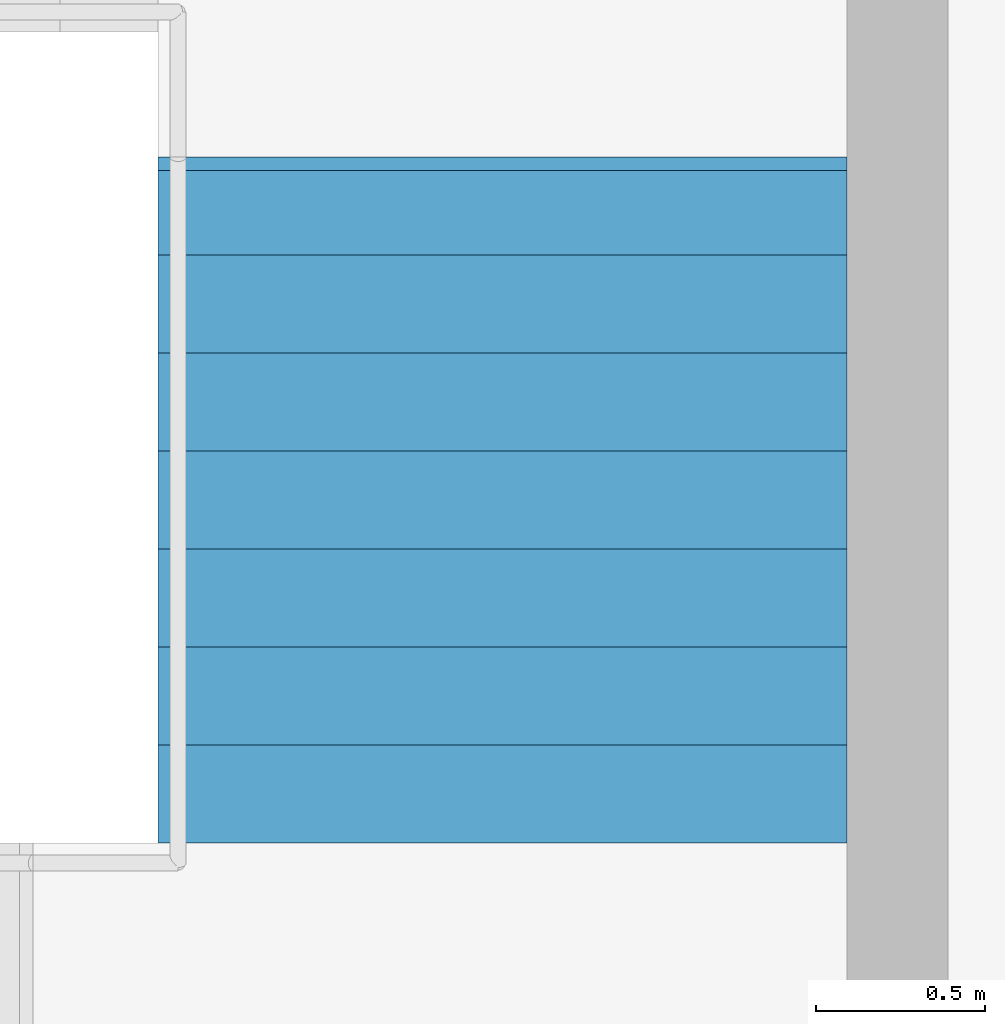
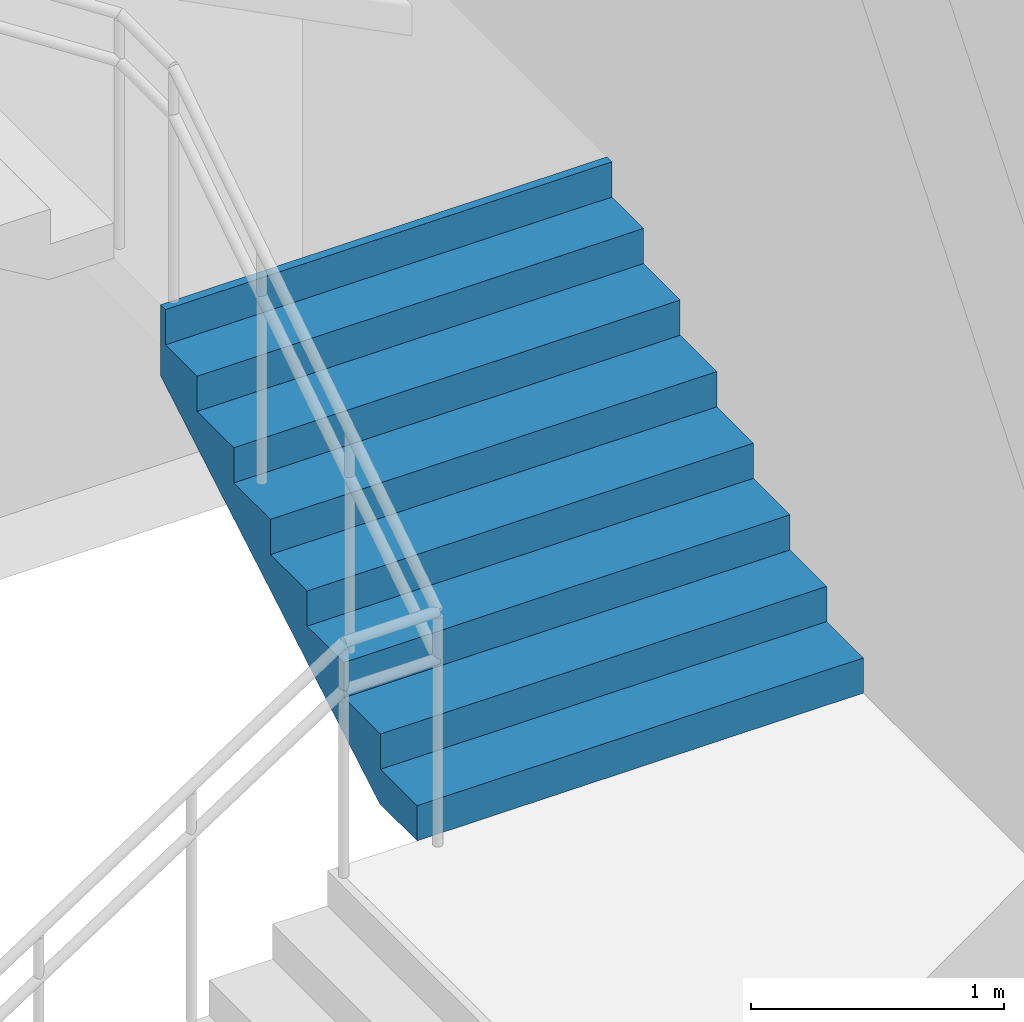
# One storey, part 36 of 50: 1 stair flight, 1 element without a shape of its own.
"""IFC4 building model written with IfcOpenShell, lengths in metres."""

from ifc_helpers import new_model, si_unit, direction, frame, origin, place, context, subcontext, project, spatial, triangles, material, type_object, element, aggregate, save


model = new_model("IFC4")

# Units and contexts
model_context = context("Model", 3, precision=1e-05, world=origin(), true_north=direction((0.0, 1.0)))
body_context = subcontext(model_context, "Body", "Model", "MODEL_VIEW")
ifc_project = project(units=[si_unit("LENGTHUNIT", "METRE"), si_unit("AREAUNIT", "SQUARE_METRE"), si_unit("VOLUMEUNIT", "CUBIC_METRE"), si_unit("PLANEANGLEUNIT", "RADIAN"), si_unit("MASSUNIT", "GRAM", prefix="KILO")], contexts=[model_context])

# Site, building, storey
site_placement = place(None, origin())
site = spatial("IfcSite", under=ifc_project, at=site_placement, CompositionType="ELEMENT")
building_placement = place(site_placement, origin())
building = spatial("IfcBuilding", under=site, at=building_placement, Name="Sillaruma Civic Art Gallery", CompositionType="ELEMENT")
storey_placement = place(building_placement, origin())
storey = spatial("IfcBuildingStorey", under=building, at=storey_placement, Name="L00", CompositionType="ELEMENT", Elevation=0.0)

# Stair, stair flight
ifc_material = material(Name="Concrete H35 (35 MPa)", Category="concrete")
stair_type = type_object("IfcStairType", Name="STR-4F-32", PredefinedType="USERDEFINED", material=ifc_material)
stair_placement = place(storey_placement, origin())
stair = element("IfcStair", 1, at=stair_placement, inside=storey, type_object=stair_type, Name="Protected Exit Stair ST-01 (West Wing) (L00)", ObjectType="THREE_RETURN_STAIR", PredefinedType="USERDEFINED")
stair_flight_type = type_object("IfcStairFlightType", Name="SFL-STR-8", PredefinedType="STRAIGHT", material=ifc_material)
stair_flight_placement = place(storey_placement, frame((31.02001953125, 102.739990234375, 1.360107421875), z_axis=(0.0, 0.0, 1.0), x_axis=(0.0, 1.0, 0.0)))
stair_flight = element("IfcStairFlight", 2, at=stair_flight_placement, type_object=stair_flight_type, Name="ST-01 flight 2", NumberOfRisers=8, NumberOfTreads=7, PredefinedType="STRAIGHT", RiserHeight=0.17, TreadLength=0.29, context=body_context, shape_type="Tessellation", body=[
    triangles([(0.0, -1.02001953125, 0.0), (0.29, -1.02001953125, 0.0), (0.296443, -1.02001953125, 0.0), (0.58, -1.02001953125, 0.166223), (0.87, -1.02001953125, 0.336223), (1.16, -1.02001953125, 0.506223), (1.45, -1.02001953125, 0.676223), (1.74, -1.02001953125, 0.846223), (1.990029, -1.02001953125, 0.992792), (2.030029, -1.02001953125, 1.01624), (2.030029, -1.02001953125, 1.36), (1.990029, -1.02001953125, 1.36), (1.990029, -1.02001953125, 1.19), (1.74, -1.02001953125, 1.19), (1.74, -1.02001953125, 1.02), (1.45, -1.02001953125, 1.02), (1.45, -1.02001953125, 0.85), (1.16, -1.02001953125, 0.85), (1.16, -1.02001953125, 0.68), (0.87, -1.02001953125, 0.68), (0.87, -1.02001953125, 0.51), (0.58, -1.02001953125, 0.51), (0.58, -1.02001953125, 0.34), (0.296443, -1.02001953125, 0.34), (0.29, -1.02001953125, 0.34), (0.29, -1.02001953125, 0.17), (0.0, -1.02001953125, 0.17), (0.0, -0.05, 0.0), (0.29, -0.05, 0.0), (0.296443, -0.05, 0.0), (0.58, -0.05, 0.166223), (0.87, -0.05, 0.336223), (1.16, -0.05, 0.506223), (1.45, -0.05, 0.676223), (1.74, -0.05, 0.846223), (1.990029, -0.05, 0.992792), (2.030029, -0.05, 1.01624), (2.030029, -0.05, 1.36), (1.990029, -0.05, 1.36), (1.990029, -0.05, 1.19), (1.74, -0.05, 1.19), (1.74, -0.05, 1.02), (1.45, -0.05, 1.02), (1.45, -0.05, 0.85), (1.16, -0.05, 0.85), (1.16, -0.05, 0.68), (0.87, -0.05, 0.68), (0.87, -0.05, 0.51), (0.58, -0.05, 0.51), (0.58, -0.05, 0.34), (0.296443, -0.05, 0.34), (0.29, -0.05, 0.34), (0.29, -0.05, 0.17), (0.0, -0.05, 0.17), (0.0, -0.0375, 0.0), (0.29, -0.0375, 0.0), (0.296443, -0.0375, 0.0), (0.58, -0.0375, 0.166223), (0.87, -0.0375, 0.336223), (1.16, -0.0375, 0.506223), (1.45, -0.0375, 0.676223), (1.74, -0.0375, 0.846223), (1.990029, -0.0375, 0.992792), (2.030029, -0.0375, 1.01624), (2.030029, -0.0375, 1.36), (1.990029, -0.0375, 1.36), (1.990029, -0.0375, 1.19), (1.74, -0.0375, 1.19), (1.74, -0.0375, 1.02), (1.45, -0.0375, 1.02), (1.45, -0.0375, 0.85), (1.16, -0.0375, 0.85), (1.16, -0.0375, 0.68), (0.87, -0.0375, 0.68), (0.87, -0.0375, 0.51), (0.58, -0.0375, 0.51), (0.58, -0.0375, 0.34), (0.296443, -0.0375, 0.34), (0.29, -0.0375, 0.34), (0.29, -0.0375, 0.17), (0.0, -0.0375, 0.17), (0.0, -0.025, 0.0), (0.29, -0.025, 0.0), (0.296443, -0.025, 0.0), (0.58, -0.025, 0.166223), (0.87, -0.025, 0.336223), (1.16, -0.025, 0.506223), (1.45, -0.025, 0.676223), (1.74, -0.025, 0.846223), (1.990029, -0.025, 0.992792), (2.030029, -0.025, 1.01624), (2.030029, -0.025, 1.36), (1.990029, -0.025, 1.36), (1.990029, -0.025, 1.19), (1.74, -0.025, 1.19), (1.74, -0.025, 1.02), (1.45, -0.025, 1.02), (1.45, -0.025, 0.85), (1.16, -0.025, 0.85), (1.16, -0.025, 0.68), (0.87, -0.025, 0.68), (0.87, -0.025, 0.51), (0.58, -0.025, 0.51), (0.58, -0.025, 0.34), (0.296443, -0.025, 0.34), (0.29, -0.025, 0.34), (0.29, -0.025, 0.17), (0.0, -0.025, 0.17), (0.0, -0.0125, 0.0), (0.29, -0.0125, 0.0), (0.296443, -0.0125, 0.0), (0.58, -0.0125, 0.166223), (0.87, -0.0125, 0.336223), (1.16, -0.0125, 0.506223), (1.45, -0.0125, 0.676223), (1.74, -0.0125, 0.846223), (1.990029, -0.0125, 0.992792), (2.030029, -0.0125, 1.01624), (2.030029, -0.0125, 1.36), (1.990029, -0.0125, 1.36), (1.990029, -0.0125, 1.19), (1.74, -0.0125, 1.19), (1.74, -0.0125, 1.02), (1.45, -0.0125, 1.02), (1.45, -0.0125, 0.85), (1.16, -0.0125, 0.85), (1.16, -0.0125, 0.68), (0.87, -0.0125, 0.68), (0.87, -0.0125, 0.51), (0.58, -0.0125, 0.51), (0.58, -0.0125, 0.34), (0.296443, -0.0125, 0.34), (0.29, -0.0125, 0.34), (0.29, -0.0125, 0.17), (0.0, -0.0125, 0.17), (0.0, 0.0, 0.0), (0.29, 0.0, 0.0), (0.296443, 0.0, 0.0), (0.58, 0.0, 0.166223), (0.87, 0.0, 0.336223), (1.16, 0.0, 0.506223), (1.45, 0.0, 0.676223), (1.74, 0.0, 0.846223), (1.990029, 0.0, 0.992792), (2.030029, 0.0, 1.01624), (2.030029, 0.0, 1.36), (1.990029, 0.0, 1.36), (1.990029, 0.0, 1.19), (1.74, 0.0, 1.19), (1.74, 0.0, 1.02), (1.45, 0.0, 1.02), (1.45, 0.0, 0.85), (1.16, 0.0, 0.85), (1.16, 0.0, 0.68), (0.87, 0.0, 0.68), (0.87, 0.0, 0.51), (0.58, 0.0, 0.51), (0.58, 0.0, 0.34), (0.296443, 0.0, 0.34), (0.29, 0.0, 0.34), (0.29, 0.0, 0.17), (0.0, 0.0, 0.17), (0.0, 0.0125, 0.0), (0.29, 0.0125, 0.0), (0.296443, 0.0125, 0.0), (0.58, 0.0125, 0.166223), (0.87, 0.0125, 0.336223), (1.16, 0.0125, 0.506223), (1.45, 0.0125, 0.676223), (1.74, 0.0125, 0.846223), (1.990029, 0.0125, 0.992792), (2.030029, 0.0125, 1.01624), (2.030029, 0.0125, 1.36), (1.990029, 0.0125, 1.36), (1.990029, 0.0125, 1.19), (1.74, 0.0125, 1.19), (1.74, 0.0125, 1.02), (1.45, 0.0125, 1.02), (1.45, 0.0125, 0.85), (1.16, 0.0125, 0.85), (1.16, 0.0125, 0.68), (0.87, 0.0125, 0.68), (0.87, 0.0125, 0.51), (0.58, 0.0125, 0.51), (0.58, 0.0125, 0.34), (0.296443, 0.0125, 0.34), (0.29, 0.0125, 0.34), (0.29, 0.0125, 0.17), (0.0, 0.0125, 0.17), (0.0, 0.025, 0.0), (0.29, 0.025, 0.0), (0.296443, 0.025, 0.0), (0.58, 0.025, 0.166223), (0.87, 0.025, 0.336223), (1.16, 0.025, 0.506223), (1.45, 0.025, 0.676223), (1.74, 0.025, 0.846223), (1.990029, 0.025, 0.992792), (2.030029, 0.025, 1.01624), (2.030029, 0.025, 1.36), (1.990029, 0.025, 1.36), (1.990029, 0.025, 1.19), (1.74, 0.025, 1.19), (1.74, 0.025, 1.02), (1.45, 0.025, 1.02), (1.45, 0.025, 0.85), (1.16, 0.025, 0.85), (1.16, 0.025, 0.68), (0.87, 0.025, 0.68), (0.87, 0.025, 0.51), (0.58, 0.025, 0.51), (0.58, 0.025, 0.34), (0.296443, 0.025, 0.34), (0.29, 0.025, 0.34), (0.29, 0.025, 0.17), (0.0, 0.025, 0.17), (0.0, 0.0375, 0.0), (0.29, 0.0375, 0.0), (0.296443, 0.0375, 0.0), (0.58, 0.0375, 0.166223), (0.87, 0.0375, 0.336223), (1.16, 0.0375, 0.506223), (1.45, 0.0375, 0.676223), (1.74, 0.0375, 0.846223), (1.990029, 0.0375, 0.992792), (2.030029, 0.0375, 1.01624), (2.030029, 0.0375, 1.36), (1.990029, 0.0375, 1.36), (1.990029, 0.0375, 1.19), (1.74, 0.0375, 1.19), (1.74, 0.0375, 1.02), (1.45, 0.0375, 1.02), (1.45, 0.0375, 0.85), (1.16, 0.0375, 0.85), (1.16, 0.0375, 0.68), (0.87, 0.0375, 0.68), (0.87, 0.0375, 0.51), (0.58, 0.0375, 0.51), (0.58, 0.0375, 0.34), (0.296443, 0.0375, 0.34), (0.29, 0.0375, 0.34), (0.29, 0.0375, 0.17), (0.0, 0.0375, 0.17), (0.0, 0.05, 0.0), (0.29, 0.05, 0.0), (0.296443, 0.05, 0.0), (0.58, 0.05, 0.166223), (0.87, 0.05, 0.336223), (1.16, 0.05, 0.506223), (1.45, 0.05, 0.676223), (1.74, 0.05, 0.846223), (1.990029, 0.05, 0.992792), (2.030029, 0.05, 1.01624), (2.030029, 0.05, 1.36), (1.990029, 0.05, 1.36), (1.990029, 0.05, 1.19), (1.74, 0.05, 1.19), (1.74, 0.05, 1.02), (1.45, 0.05, 1.02), (1.45, 0.05, 0.85), (1.16, 0.05, 0.85), (1.16, 0.05, 0.68), (0.87, 0.05, 0.68), (0.87, 0.05, 0.51), (0.58, 0.05, 0.51), (0.58, 0.05, 0.34), (0.296443, 0.05, 0.34), (0.29, 0.05, 0.34), (0.29, 0.05, 0.17), (0.0, 0.05, 0.17), (0.0, 1.02001953125, 0.0), (0.29, 1.02001953125, 0.0), (0.296443, 1.02001953125, 0.0), (0.58, 1.02001953125, 0.166223), (0.87, 1.02001953125, 0.336223), (1.16, 1.02001953125, 0.506223), (1.45, 1.02001953125, 0.676223), (1.74, 1.02001953125, 0.846223), (1.990029, 1.02001953125, 0.992792), (2.030029, 1.02001953125, 1.01624), (2.030029, 1.02001953125, 1.36), (1.990029, 1.02001953125, 1.36), (1.990029, 1.02001953125, 1.19), (1.74, 1.02001953125, 1.19), (1.74, 1.02001953125, 1.02), (1.45, 1.02001953125, 1.02), (1.45, 1.02001953125, 0.85), (1.16, 1.02001953125, 0.85), (1.16, 1.02001953125, 0.68), (0.87, 1.02001953125, 0.68), (0.87, 1.02001953125, 0.51), (0.58, 1.02001953125, 0.51), (0.58, 1.02001953125, 0.34), (0.296443, 1.02001953125, 0.34), (0.29, 1.02001953125, 0.34), (0.29, 1.02001953125, 0.17), (0.0, 1.02001953125, 0.17)], [[1, 2, 26], [1, 26, 27], [2, 3, 24], [2, 24, 26], [26, 24, 25], [3, 4, 23], [3, 23, 24], [4, 5, 21], [4, 21, 23], [23, 21, 22], [5, 6, 19], [5, 19, 21], [21, 19, 20], [6, 7, 17], [6, 17, 19], [19, 17, 18], [7, 8, 15], [7, 15, 17], [17, 15, 16], [8, 9, 13], [8, 13, 15], [15, 13, 14], [9, 10, 11], [9, 11, 13], [13, 11, 12], [296, 272, 271], [297, 296, 271], [294, 273, 272], [296, 294, 272], [295, 294, 296], [293, 274, 273], [294, 293, 273], [291, 275, 274], [293, 291, 274], [292, 291, 293], [289, 276, 275], [291, 289, 275], [290, 289, 291], [287, 277, 276], [289, 287, 276], [288, 287, 289], [285, 278, 277], [287, 285, 277], [286, 285, 287], [283, 279, 278], [285, 283, 278], [284, 283, 285], [281, 280, 279], [283, 281, 279], [282, 281, 283], [2, 1, 28], [2, 28, 29], [3, 2, 29], [3, 29, 30], [4, 3, 30], [4, 30, 31], [5, 4, 31], [5, 31, 32], [6, 5, 32], [6, 32, 33], [7, 6, 33], [7, 33, 34], [8, 7, 34], [8, 34, 35], [9, 8, 35], [9, 35, 36], [10, 9, 36], [10, 36, 37], [11, 10, 37], [11, 37, 38], [12, 11, 38], [12, 38, 39], [13, 12, 39], [13, 39, 40], [14, 13, 40], [14, 40, 41], [15, 14, 41], [15, 41, 42], [16, 15, 42], [16, 42, 43], [17, 16, 43], [17, 43, 44], [18, 17, 44], [18, 44, 45], [19, 18, 45], [19, 45, 46], [20, 19, 46], [20, 46, 47], [21, 20, 47], [21, 47, 48], [22, 21, 48], [22, 48, 49], [23, 22, 49], [23, 49, 50], [24, 23, 50], [24, 50, 51], [25, 24, 51], [25, 51, 52], [26, 25, 52], [26, 52, 53], [27, 26, 53], [27, 53, 54], [1, 27, 54], [1, 54, 28], [29, 28, 55], [29, 55, 56], [30, 29, 56], [30, 56, 57], [31, 30, 57], [31, 57, 58], [32, 31, 58], [32, 58, 59], [33, 32, 59], [33, 59, 60], [34, 33, 60], [34, 60, 61], [35, 34, 61], [35, 61, 62], [36, 35, 62], [36, 62, 63], [37, 36, 63], [37, 63, 64], [38, 37, 64], [38, 64, 65], [39, 38, 65], [39, 65, 66], [40, 39, 66], [40, 66, 67], [41, 40, 67], [41, 67, 68], [42, 41, 68], [42, 68, 69], [43, 42, 69], [43, 69, 70], [44, 43, 70], [44, 70, 71], [45, 44, 71], [45, 71, 72], [46, 45, 72], [46, 72, 73], [47, 46, 73], [47, 73, 74], [48, 47, 74], [48, 74, 75], [49, 48, 75], [49, 75, 76], [50, 49, 76], [50, 76, 77], [51, 50, 77], [51, 77, 78], [52, 51, 78], [52, 78, 79], [53, 52, 79], [53, 79, 80], [54, 53, 80], [54, 80, 81], [28, 54, 81], [28, 81, 55], [56, 55, 82], [56, 82, 83], [57, 56, 83], [57, 83, 84], [58, 57, 84], [58, 84, 85], [59, 58, 85], [59, 85, 86], [60, 59, 86], [60, 86, 87], [61, 60, 87], [61, 87, 88], [62, 61, 88], [62, 88, 89], [63, 62, 89], [63, 89, 90], [64, 63, 90], [64, 90, 91], [65, 64, 91], [65, 91, 92], [66, 65, 92], [66, 92, 93], [67, 66, 93], [67, 93, 94], [68, 67, 94], [68, 94, 95], [69, 68, 95], [69, 95, 96], [70, 69, 96], [70, 96, 97], [71, 70, 97], [71, 97, 98], [72, 71, 98], [72, 98, 99], [73, 72, 99], [73, 99, 100], [74, 73, 100], [74, 100, 101], [75, 74, 101], [75, 101, 102], [76, 75, 102], [76, 102, 103], [77, 76, 103], [77, 103, 104], [78, 77, 104], [78, 104, 105], [79, 78, 105], [79, 105, 106], [80, 79, 106], [80, 106, 107], [81, 80, 107], [81, 107, 108], [55, 81, 108], [55, 108, 82], [83, 82, 109], [83, 109, 110], [84, 83, 110], [84, 110, 111], [85, 84, 111], [85, 111, 112], [86, 85, 112], [86, 112, 113], [87, 86, 113], [87, 113, 114], [88, 87, 114], [88, 114, 115], [89, 88, 115], [89, 115, 116], [90, 89, 116], [90, 116, 117], [91, 90, 117], [91, 117, 118], [92, 91, 118], [92, 118, 119], [93, 92, 119], [93, 119, 120], [94, 93, 120], [94, 120, 121], [95, 94, 121], [95, 121, 122], [96, 95, 122], [96, 122, 123], [97, 96, 123], [97, 123, 124], [98, 97, 124], [98, 124, 125], [99, 98, 125], [99, 125, 126], [100, 99, 126], [100, 126, 127], [101, 100, 127], [101, 127, 128], [102, 101, 128], [102, 128, 129], [103, 102, 129], [103, 129, 130], [104, 103, 130], [104, 130, 131], [105, 104, 131], [105, 131, 132], [106, 105, 132], [106, 132, 133], [107, 106, 133], [107, 133, 134], [108, 107, 134], [108, 134, 135], [82, 108, 135], [82, 135, 109], [110, 109, 136], [110, 136, 137], [111, 110, 137], [111, 137, 138], [112, 111, 138], [112, 138, 139], [113, 112, 139], [113, 139, 140], [114, 113, 140], [114, 140, 141], [115, 114, 141], [115, 141, 142], [116, 115, 142], [116, 142, 143], [117, 116, 143], [117, 143, 144], [118, 117, 144], [118, 144, 145], [119, 118, 145], [119, 145, 146], [120, 119, 146], [120, 146, 147], [121, 120, 147], [121, 147, 148], [122, 121, 148], [122, 148, 149], [123, 122, 149], [123, 149, 150], [124, 123, 150], [124, 150, 151], [125, 124, 151], [125, 151, 152], [126, 125, 152], [126, 152, 153], [127, 126, 153], [127, 153, 154], [128, 127, 154], [128, 154, 155], [129, 128, 155], [129, 155, 156], [130, 129, 156], [130, 156, 157], [131, 130, 157], [131, 157, 158], [132, 131, 158], [132, 158, 159], [133, 132, 159], [133, 159, 160], [134, 133, 160], [134, 160, 161], [135, 134, 161], [135, 161, 162], [109, 135, 162], [109, 162, 136], [137, 136, 163], [137, 163, 164], [138, 137, 164], [138, 164, 165], [139, 138, 165], [139, 165, 166], [140, 139, 166], [140, 166, 167], [141, 140, 167], [141, 167, 168], [142, 141, 168], [142, 168, 169], [143, 142, 169], [143, 169, 170], [144, 143, 170], [144, 170, 171], [145, 144, 171], [145, 171, 172], [146, 145, 172], [146, 172, 173], [147, 146, 173], [147, 173, 174], [148, 147, 174], [148, 174, 175], [149, 148, 175], [149, 175, 176], [150, 149, 176], [150, 176, 177], [151, 150, 177], [151, 177, 178], [152, 151, 178], [152, 178, 179], [153, 152, 179], [153, 179, 180], [154, 153, 180], [154, 180, 181], [155, 154, 181], [155, 181, 182], [156, 155, 182], [156, 182, 183], [157, 156, 183], [157, 183, 184], [158, 157, 184], [158, 184, 185], [159, 158, 185], [159, 185, 186], [160, 159, 186], [160, 186, 187], [161, 160, 187], [161, 187, 188], [162, 161, 188], [162, 188, 189], [136, 162, 189], [136, 189, 163], [164, 163, 190], [164, 190, 191], [165, 164, 191], [165, 191, 192], [166, 165, 192], [166, 192, 193], [167, 166, 193], [167, 193, 194], [168, 167, 194], [168, 194, 195], [169, 168, 195], [169, 195, 196], [170, 169, 196], [170, 196, 197], [171, 170, 197], [171, 197, 198], [172, 171, 198], [172, 198, 199], [173, 172, 199], [173, 199, 200], [174, 173, 200], [174, 200, 201], [175, 174, 201], [175, 201, 202], [176, 175, 202], [176, 202, 203], [177, 176, 203], [177, 203, 204], [178, 177, 204], [178, 204, 205], [179, 178, 205], [179, 205, 206], [180, 179, 206], [180, 206, 207], [181, 180, 207], [181, 207, 208], [182, 181, 208], [182, 208, 209], [183, 182, 209], [183, 209, 210], [184, 183, 210], [184, 210, 211], [185, 184, 211], [185, 211, 212], [186, 185, 212], [186, 212, 213], [187, 186, 213], [187, 213, 214], [188, 187, 214], [188, 214, 215], [189, 188, 215], [189, 215, 216], [163, 189, 216], [163, 216, 190], [191, 190, 217], [191, 217, 218], [192, 191, 218], [192, 218, 219], [193, 192, 219], [193, 219, 220], [194, 193, 220], [194, 220, 221], [195, 194, 221], [195, 221, 222], [196, 195, 222], [196, 222, 223], [197, 196, 223], [197, 223, 224], [198, 197, 224], [198, 224, 225], [199, 198, 225], [199, 225, 226], [200, 199, 226], [200, 226, 227], [201, 200, 227], [201, 227, 228], [202, 201, 228], [202, 228, 229], [203, 202, 229], [203, 229, 230], [204, 203, 230], [204, 230, 231], [205, 204, 231], [205, 231, 232], [206, 205, 232], [206, 232, 233], [207, 206, 233], [207, 233, 234], [208, 207, 234], [208, 234, 235], [209, 208, 235], [209, 235, 236], [210, 209, 236], [210, 236, 237], [211, 210, 237], [211, 237, 238], [212, 211, 238], [212, 238, 239], [213, 212, 239], [213, 239, 240], [214, 213, 240], [214, 240, 241], [215, 214, 241], [215, 241, 242], [216, 215, 242], [216, 242, 243], [190, 216, 243], [190, 243, 217], [218, 217, 244], [218, 244, 245], [219, 218, 245], [219, 245, 246], [220, 219, 246], [220, 246, 247], [221, 220, 247], [221, 247, 248], [222, 221, 248], [222, 248, 249], [223, 222, 249], [223, 249, 250], [224, 223, 250], [224, 250, 251], [225, 224, 251], [225, 251, 252], [226, 225, 252], [226, 252, 253], [227, 226, 253], [227, 253, 254], [228, 227, 254], [228, 254, 255], [229, 228, 255], [229, 255, 256], [230, 229, 256], [230, 256, 257], [231, 230, 257], [231, 257, 258], [232, 231, 258], [232, 258, 259], [233, 232, 259], [233, 259, 260], [234, 233, 260], [234, 260, 261], [235, 234, 261], [235, 261, 262], [236, 235, 262], [236, 262, 263], [237, 236, 263], [237, 263, 264], [238, 237, 264], [238, 264, 265], [239, 238, 265], [239, 265, 266], [240, 239, 266], [240, 266, 267], [241, 240, 267], [241, 267, 268], [242, 241, 268], [242, 268, 269], [243, 242, 269], [243, 269, 270], [217, 243, 270], [217, 270, 244], [245, 244, 271], [245, 271, 272], [246, 245, 272], [246, 272, 273], [247, 246, 273], [247, 273, 274], [248, 247, 274], [248, 274, 275], [249, 248, 275], [249, 275, 276], [250, 249, 276], [250, 276, 277], [251, 250, 277], [251, 277, 278], [252, 251, 278], [252, 278, 279], [253, 252, 279], [253, 279, 280], [254, 253, 280], [254, 280, 281], [255, 254, 281], [255, 281, 282], [256, 255, 282], [256, 282, 283], [257, 256, 283], [257, 283, 284], [258, 257, 284], [258, 284, 285], [259, 258, 285], [259, 285, 286], [260, 259, 286], [260, 286, 287], [261, 260, 287], [261, 287, 288], [262, 261, 288], [262, 288, 289], [263, 262, 289], [263, 289, 290], [264, 263, 290], [264, 290, 291], [265, 264, 291], [265, 291, 292], [266, 265, 292], [266, 292, 293], [267, 266, 293], [267, 293, 294], [268, 267, 294], [268, 294, 295], [269, 268, 295], [269, 295, 296], [270, 269, 296], [270, 296, 297], [244, 270, 297], [244, 297, 271]], closed=True),
])
aggregate(stair, [stair_flight])

save(model, "model.ifc")
